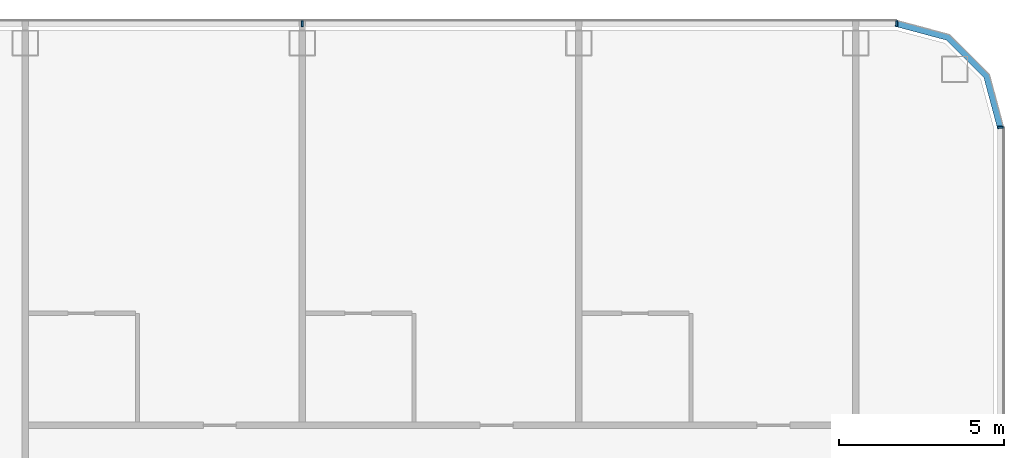
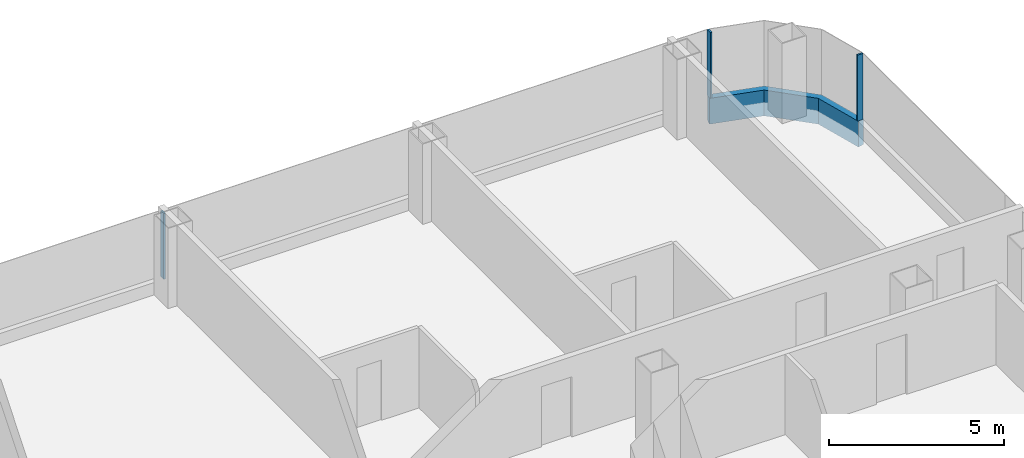
# One storey, part 13 of 29: 4 members, 3 elements without a shape of their own.
"""IFC4 building model written with IfcOpenShell, lengths in metres."""

import ifcopenshell
import ifcopenshell.guid

model = None  # the IFC model being written
_history = None  # IfcOwnerHistory: only IFC2X3 demands one
_inside = {}  # id of a spatial element -> (the spatial element, [elements in it])
_under = {}  # id of a project, library or spatial element -> (it, [spatial elements below it])
_declared = {}  # id of a project -> (the project, [libraries it declares])
_typed = {}  # id of a type object -> (the type object, [elements of that type])
_made_of = {}  # id of a material, layer set ... -> (it, [elements and type objects made of it])


def new_model(schema):
    """Start an empty IFC model of exactly this schema.

    Asked for "IFC4X3", IfcOpenShell would pick the latest addendum, in which some entities
    have other attributes; the version numbers below select the first issue.
    IFC2X3 requires an IfcOwnerHistory on every rooted entity: one is made here for all.
    """
    global model, _history
    if schema == "IFC4X3":
        model = ifcopenshell.file(schema_version=(4, 3, 0, 0))
    else:
        model = ifcopenshell.file(schema=schema)
    _inside.clear()
    _under.clear()
    _declared.clear()
    _typed.clear()
    _made_of.clear()
    _history = None
    if model.schema == "IFC2X3":
        org = make("IfcOrganization", Name="unknown")
        user = make(
            "IfcPersonAndOrganization",
            ThePerson=make("IfcPerson", FamilyName="unknown"),
            TheOrganization=org,
        )
        app = make(
            "IfcApplication",
            ApplicationDeveloper=org,
            Version="unknown",
            ApplicationFullName="unknown",
            ApplicationIdentifier="unknown",
        )
        _history = make(
            "IfcOwnerHistory",
            OwningUser=user,
            OwningApplication=app,
            ChangeAction="ADDED",
            CreationDate=0,
        )
    return model


def make(cls, **values):
    """One entity of the class cls with the attributes given. An attribute that is None is left unset."""
    return model.create_entity(
        cls, **{name: value for name, value in values.items() if value is not None}
    )


def rooted(cls, **values):
    """An entity with a GlobalId (a new one), such as an element, a storey or a relation."""
    return make(cls, GlobalId=ifcopenshell.guid.new(), OwnerHistory=_history, **values)


def si_unit(unit_type, name, prefix=None):
    """IfcSIUnit, for example si_unit("LENGTHUNIT", "METRE", prefix="MILLI")."""
    return make("IfcSIUnit", UnitType=unit_type, Prefix=prefix, Name=name)


def assignment(units):
    """IfcUnitAssignment: the units of a project."""
    return None if units is None else make("IfcUnitAssignment", Units=units)


def point(xyz):
    """IfcCartesianPoint."""
    return None if xyz is None else make("IfcCartesianPoint", Coordinates=xyz)


def direction(xyz):
    """IfcDirection."""
    return None if xyz is None else make("IfcDirection", DirectionRatios=xyz)


def frame(location, z_axis=None, x_axis=None):
    """IfcAxis2Placement3D, a coordinate frame: its origin and axes. An axis left out is left unset."""
    return make(
        "IfcAxis2Placement3D",
        Location=point(location),
        Axis=direction(z_axis),
        RefDirection=direction(x_axis),
    )


def frame_2d(location, x_axis=None):
    """IfcAxis2Placement2D, a coordinate frame in the plane: its origin and x axis."""
    return make(
        "IfcAxis2Placement2D", Location=point(location), RefDirection=direction(x_axis)
    )


def origin():
    """The frame at (0, 0, 0) with its axes left unset."""
    return frame((0.0, 0.0, 0.0))


def origin_2d():
    """The frame at (0, 0) in the plane with its x axis left unset."""
    return frame_2d((0.0, 0.0))


def place(relative_to, where):
    """IfcLocalPlacement: puts the frame where relative to a parent placement (None: the world)."""
    return make(
        "IfcLocalPlacement", PlacementRelTo=relative_to, RelativePlacement=where
    )


def context(
    kind, dimensions, precision=None, world=None, true_north=None, identifier=None
):
    """IfcGeometricRepresentationContext, for example the 3D "Model" context."""
    return make(
        "IfcGeometricRepresentationContext",
        ContextIdentifier=identifier,
        ContextType=kind,
        CoordinateSpaceDimension=dimensions,
        Precision=precision,
        WorldCoordinateSystem=world,
        TrueNorth=true_north,
    )


def subcontext(parent, identifier, kind, view, scale=None):
    """IfcGeometricRepresentationSubContext, for example "Body" below "Model"."""
    return make(
        "IfcGeometricRepresentationSubContext",
        ContextIdentifier=identifier,
        ContextType=kind,
        ParentContext=parent,
        TargetScale=scale,
        TargetView=view,
    )


def project(units=None, contexts=None):
    """IfcProject with its units and contexts."""
    return rooted(
        "IfcProject",
        Name="project",
        RepresentationContexts=contexts,
        UnitsInContext=assignment(units),
    )


def spatial(cls, under=None, at=None, **own):
    """A site, building, storey or space (cls), placed at a placement, below another one or the project."""
    s = rooted(cls, ObjectPlacement=at, **own)
    if under is not None:
        _under.setdefault(under.id(), (under, []))[1].append(s)
    return s


def polyline(points):
    """IfcPolyline through the points."""
    return make("IfcPolyline", Points=[point(p) for p in points])


def profile(cls, at=None, kind="AREA", **sizes):
    """A parametric profile (cls). Its sizes go by their IFC names, for example OverallWidth=200.0."""
    return make(cls, ProfileType=kind, Position=at, **sizes)


def rectangle(**sizes):
    """IfcRectangleProfileDef."""
    return profile("IfcRectangleProfileDef", **sizes)


def outline(outer, holes=None, kind="AREA"):
    """IfcArbitraryClosedProfileDef: a profile drawn as a closed curve; with holes, ...WithVoids."""
    if holes is None:
        return make("IfcArbitraryClosedProfileDef", ProfileType=kind, OuterCurve=outer)
    return make(
        "IfcArbitraryProfileDefWithVoids",
        ProfileType=kind,
        OuterCurve=outer,
        InnerCurves=holes,
    )


def extrude(swept, where, along, depth):
    """IfcExtrudedAreaSolid: the profile swept, set in the frame where, extruded along a direction by depth."""
    return make(
        "IfcExtrudedAreaSolid",
        SweptArea=swept,
        Position=where,
        ExtrudedDirection=direction(along),
        Depth=depth,
    )


def shape(context_of_items, identifier, shape_type, items):
    """IfcShapeRepresentation: the items that make up one representation, for example the "Body"."""
    return make(
        "IfcShapeRepresentation",
        ContextOfItems=context_of_items,
        RepresentationIdentifier=identifier,
        RepresentationType=shape_type,
        Items=items,
    )


def material(Name=None, Category=None):
    """IfcMaterial."""
    return make("IfcMaterial", Name=Name, Category=Category)


def layer(
    of_material, thickness, ventilated=None, Name=None, Category=None, Priority=None
):
    """IfcMaterialLayer: one layer of a wall or slab, of a material (None: an air gap)."""
    return make(
        "IfcMaterialLayer",
        Material=of_material,
        LayerThickness=thickness,
        IsVentilated=ventilated,
        Name=Name,
        Category=Category,
        Priority=Priority,
    )


def layer_set(layers, Name=None):
    """IfcMaterialLayerSet."""
    return make("IfcMaterialLayerSet", MaterialLayers=layers, LayerSetName=Name)


def material_profile(
    of_material, cross_section, Name=None, Category=None, Priority=None
):
    """IfcMaterialProfile: a cross section and its material."""
    return make(
        "IfcMaterialProfile",
        Name=Name,
        Material=of_material,
        Profile=cross_section,
        Priority=Priority,
        Category=Category,
    )


def profile_set(profiles, Name=None, composite=None):
    """IfcMaterialProfileSet."""
    return make(
        "IfcMaterialProfileSet",
        Name=Name,
        MaterialProfiles=profiles,
        CompositeProfile=composite,
    )


def made_of(thing, what):
    """Note that an element or type object is made of a material, layer set ...; save() writes the relation."""
    if what is not None:
        _made_of.setdefault(what.id(), (what, []))[1].append(thing)
    return thing


def type_object(cls, material=None, **own):
    """A type object (cls), such as IfcWallType, which elements share."""
    return made_of(rooted(cls, **own), material)


def element(
    cls,
    number,
    at=None,
    inside=None,
    cuts=None,
    type_object=None,
    material=None,
    context=None,
    identifier="Body",
    shape_type=None,
    held_by="IfcProductDefinitionShape",
    body=None,
    shapes=None,
    **own,
):
    """One element of the class cls, such as IfcWall. Its Tag is "e" and its number.

    at: its placement. inside: the storey or other place that contains it. cuts: it is an
    opening in that element (IfcRelVoidsElement). A single representation is given by context,
    identifier, shape_type and body (its items); several are given by shapes. held_by: the class
    of the entity that holds the representations. save() writes the other relations.
    """
    e = rooted(cls, Tag="e%d" % number, ObjectPlacement=at, **own)
    if body is not None:
        shapes = [shape(context, identifier, shape_type, body)]
    if shapes is not None:
        e.Representation = make(held_by, Representations=shapes)
    if inside is not None:
        _inside.setdefault(inside.id(), (inside, []))[1].append(e)
    if cuts is not None:
        rooted(
            "IfcRelVoidsElement", RelatingBuildingElement=cuts, RelatedOpeningElement=e
        )
    if type_object is not None:
        _typed.setdefault(type_object.id(), (type_object, []))[1].append(e)
    return made_of(e, material)


def aggregate(whole, parts):
    """IfcRelAggregates: a whole, such as a stair, and the parts it consists of."""
    return rooted("IfcRelAggregates", RelatingObject=whole, RelatedObjects=parts)


def save(model, path):
    """Write the relations noted so far, then the file.

    IfcRelAggregates (storeys below a building ...), IfcRelContainedInSpatialStructure (elements
    in a storey), IfcRelDefinesByType, IfcRelAssociatesMaterial and IfcRelDeclares: one each for
    every whole, place, type object, material and project.
    """
    for whole, parts in _under.values():
        aggregate(whole, parts)
    for where, things in _inside.values():
        rooted(
            "IfcRelContainedInSpatialStructure",
            RelatedElements=things,
            RelatingStructure=where,
        )
    for kind, things in _typed.values():
        rooted("IfcRelDefinesByType", RelatedObjects=things, RelatingType=kind)
    for what, things in _made_of.values():
        rooted("IfcRelAssociatesMaterial", RelatedObjects=things, RelatingMaterial=what)
    for by, libraries in _declared.values():
        rooted("IfcRelDeclares", RelatingContext=by, RelatedDefinitions=libraries)
    model.write(path)


model = new_model("IFC4")

# Units and contexts
model_context = context("Model", 3, precision=1e-05, world=origin(), true_north=direction((0.0, 1.0)))
body_context = subcontext(model_context, "Body", "Model", "MODEL_VIEW")
ifc_project = project(units=[si_unit("LENGTHUNIT", "METRE"), si_unit("AREAUNIT", "SQUARE_METRE"), si_unit("VOLUMEUNIT", "CUBIC_METRE"), si_unit("PLANEANGLEUNIT", "RADIAN"), si_unit("MASSUNIT", "GRAM", prefix="KILO")], contexts=[model_context])

# Site, building, storey
site_placement = place(None, origin())
site = spatial("IfcSite", under=ifc_project, at=site_placement, CompositionType="ELEMENT")
building_placement = place(site_placement, origin())
building = spatial("IfcBuilding", under=site, at=building_placement, Name="Hakoniwa Tower and Hamabe Station Hall", CompositionType="ELEMENT")
storey_placement = place(building_placement, frame((0.0, 0.0, 75.39990234375)))
storey = spatial("IfcBuildingStorey", under=building, at=storey_placement, Name="L20", CompositionType="ELEMENT", Elevation=75.39990234375)

# Curtain wall, member
ifc_material_1 = material(Name="Dark low-e laminated glass", Category="glass")
ifc_layer = layer(ifc_material_1, 0.199951171875)
ifc_layer_set = layer_set([ifc_layer], Name="CW-1 UNITISED GUEST")
curtain_wall_type = type_object("IfcCurtainWallType", Name="CW-1 UNITISED GUEST", PredefinedType="NOTDEFINED", material=ifc_layer_set)
curtain_wall_1_placement = place(storey_placement, origin())
curtain_wall_1 = element("IfcCurtainWall", 1, at=curtain_wall_1_placement, inside=storey, type_object=curtain_wall_type, Name="CW-1 curtain wall", PredefinedType="NOTDEFINED")
ifc_material_2 = material(Name="Aluminium 6063-T5 black anodised", Category="aluminium")
ifc_material_profile_1 = material_profile(ifc_material_2, rectangle(XDim=0.199951171875, YDim=0.89990234375, at=origin_2d()), Name="CW SLAB-EDGE BAND 900X200")
ifc_profile_set_1 = profile_set([ifc_material_profile_1], Name="Aluminium 6063-T5 black anodised")
member_type_1 = type_object("IfcMemberType", Name="CW SLAB-EDGE BAND 900X200", PredefinedType="USERDEFINED", material=ifc_profile_set_1)
member_1_placement = place(storey_placement, frame((0.0, 0.0, -0.5498046875)))
member_1 = element("IfcMember", 2, at=member_1_placement, type_object=member_type_1, Name="CW-1 transom", ObjectType="TRANSOM", PredefinedType="USERDEFINED", context=body_context, shape_type="SweptSolid", body=[
    extrude(outline(polyline([(46.5, 20.28955078125), (46.067138671875, 21.9052734375), (44.855224609375, 23.116943359375), (43.239501953125, 23.550048828125), (43.187744140625, 23.35693359375), (44.751708984375, 22.937744140625), (45.8876953125, 21.8017578125), (46.306884765625, 20.23779296875), (46.5, 20.28955078125)])), origin(), (0.0, 0.0, 1.0), 0.89990234375),
])
aggregate(curtain_wall_1, [member_1])

curtain_wall_2_placement = place(storey_placement, origin())
curtain_wall_2 = element("IfcCurtainWall", 3, at=curtain_wall_2_placement, inside=storey, type_object=curtain_wall_type, Name="CW-1 curtain wall", PredefinedType="NOTDEFINED")
ifc_material_3 = material(Name="Aluminium 6063-T5 black anodised", Category="aluminium")
ifc_material_profile_2 = material_profile(ifc_material_3, rectangle(XDim=0.06005859375, YDim=0.179931640625, at=origin_2d()), Name="CW-1 MULLION 60X180")
ifc_profile_set_2 = profile_set([ifc_material_profile_2], Name="Aluminium 6063-T5 black anodised")
member_type_2 = type_object("IfcMemberType", Name="CW-1 MULLION 60X180", PredefinedType="MULLION", material=ifc_profile_set_2)
member_2_placement = place(storey_placement, frame((46.382080078125, 20.28955078125, 0.35009765625), z_axis=(0.0, 0.0, 1.0), x_axis=(0.0, 1.0, 0.0)))
member_2 = element("IfcMember", 4, at=member_2_placement, type_object=member_type_2, Name="CW-1 mullion", PredefinedType="MULLION", context=body_context, shape_type="SweptSolid", body=[
    extrude(rectangle(XDim=0.06005859375, YDim=0.179931640625, at=origin_2d()), origin(), (0.0, 0.0, 1.0), 2.300048828125),
])
aggregate(curtain_wall_2, [member_2])

# Curtain wall, members
curtain_wall_3_placement = place(storey_placement, origin())
curtain_wall_3 = element("IfcCurtainWall", 5, at=curtain_wall_3_placement, inside=storey, type_object=curtain_wall_type, Name="CW-1 curtain wall", PredefinedType="NOTDEFINED")
member_3_placement = place(storey_placement, frame((43.239501953125, 23.431884765625, 0.35009765625), z_axis=(0.0, 0.0, 1.0), x_axis=(-1.0, 0.0, 0.0)))
member_3 = element("IfcMember", 6, at=member_3_placement, type_object=member_type_2, Name="CW-1 mullion", PredefinedType="MULLION", context=body_context, shape_type="SweptSolid", body=[
    extrude(rectangle(XDim=0.06005859375, YDim=0.179931640625, at=origin_2d()), origin(), (0.0, 0.0, 1.0), 2.300048828125),
])
member_4_placement = place(storey_placement, frame((25.199951171875, 23.431884765625, 0.35009765625), z_axis=(0.0, 0.0, 1.0), x_axis=(-1.0, 0.0, 0.0)))
member_4 = element("IfcMember", 7, at=member_4_placement, type_object=member_type_2, Name="CW-1 mullion", PredefinedType="MULLION", context=body_context, shape_type="SweptSolid", body=[
    extrude(rectangle(XDim=0.06005859375, YDim=0.179931640625, at=origin_2d()), origin(), (0.0, 0.0, 1.0), 2.300048828125),
])
aggregate(curtain_wall_3, [member_3, member_4])

save(model, "model.ifc")
